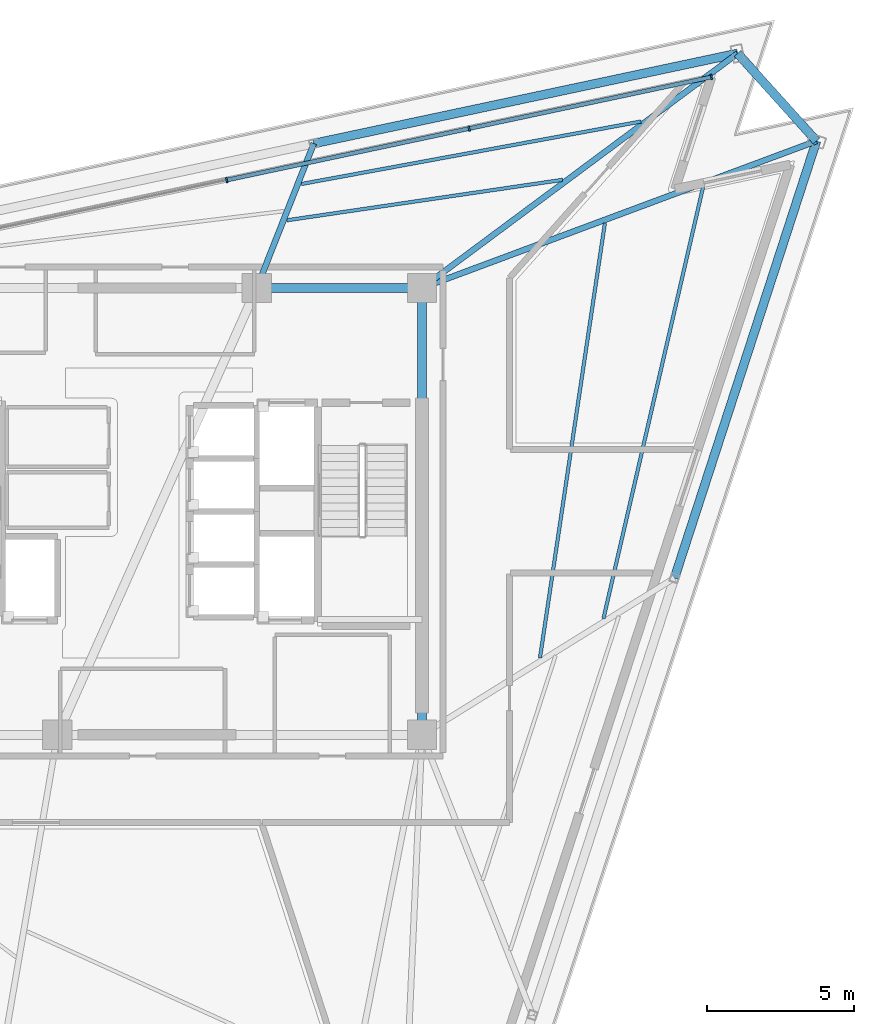
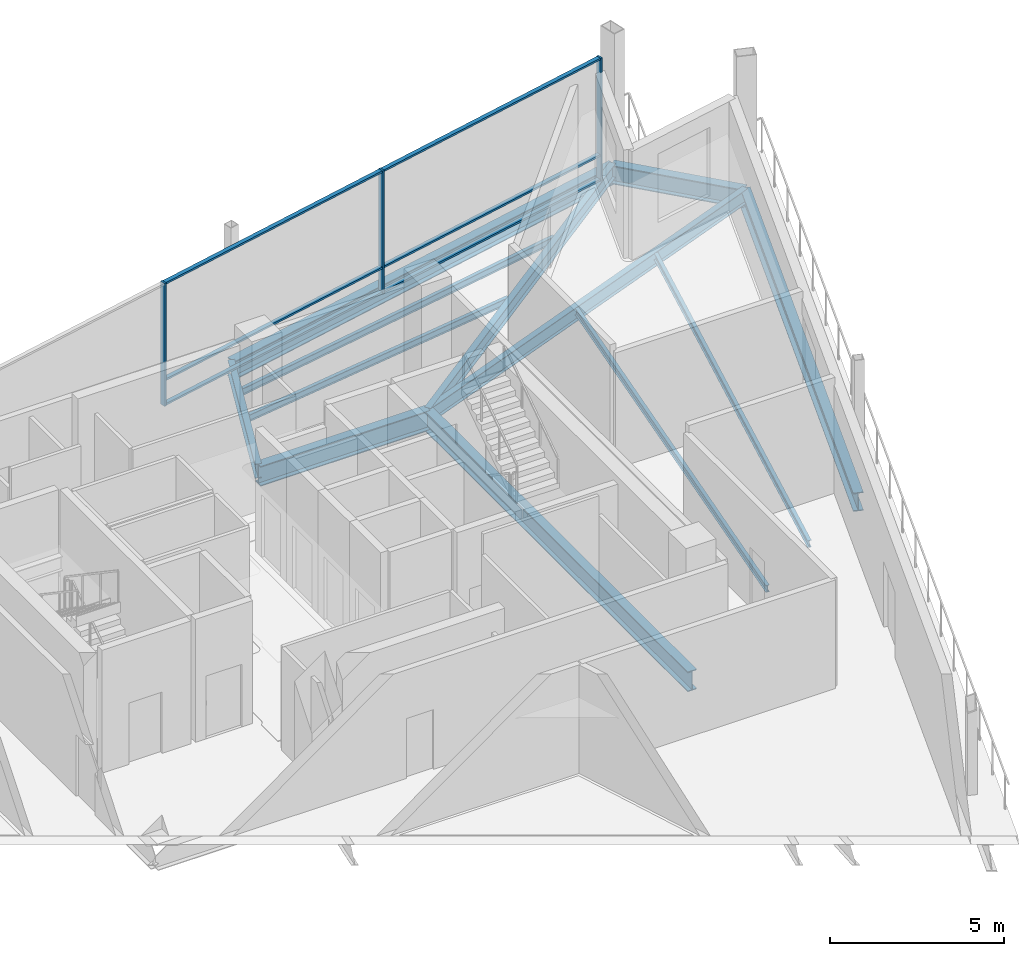
# One storey, part 5 of 11: 12 beams, 9 members, 1 element without a shape of its own.
"""IFC4 building model written with IfcOpenShell, lengths in metres."""

import ifcopenshell
import ifcopenshell.guid

model = None  # the IFC model being written
_history = None  # IfcOwnerHistory: only IFC2X3 demands one
_inside = {}  # id of a spatial element -> (the spatial element, [elements in it])
_under = {}  # id of a project, library or spatial element -> (it, [spatial elements below it])
_declared = {}  # id of a project -> (the project, [libraries it declares])
_typed = {}  # id of a type object -> (the type object, [elements of that type])
_made_of = {}  # id of a material, layer set ... -> (it, [elements and type objects made of it])


def new_model(schema):
    """Start an empty IFC model of exactly this schema.

    Asked for "IFC4X3", IfcOpenShell would pick the latest addendum, in which some entities
    have other attributes; the version numbers below select the first issue.
    IFC2X3 requires an IfcOwnerHistory on every rooted entity: one is made here for all.
    """
    global model, _history
    if schema == "IFC4X3":
        model = ifcopenshell.file(schema_version=(4, 3, 0, 0))
    else:
        model = ifcopenshell.file(schema=schema)
    _inside.clear()
    _under.clear()
    _declared.clear()
    _typed.clear()
    _made_of.clear()
    _history = None
    if model.schema == "IFC2X3":
        org = make("IfcOrganization", Name="unknown")
        user = make(
            "IfcPersonAndOrganization",
            ThePerson=make("IfcPerson", FamilyName="unknown"),
            TheOrganization=org,
        )
        app = make(
            "IfcApplication",
            ApplicationDeveloper=org,
            Version="unknown",
            ApplicationFullName="unknown",
            ApplicationIdentifier="unknown",
        )
        _history = make(
            "IfcOwnerHistory",
            OwningUser=user,
            OwningApplication=app,
            ChangeAction="ADDED",
            CreationDate=0,
        )
    return model


def make(cls, **values):
    """One entity of the class cls with the attributes given. An attribute that is None is left unset."""
    return model.create_entity(
        cls, **{name: value for name, value in values.items() if value is not None}
    )


def rooted(cls, **values):
    """An entity with a GlobalId (a new one), such as an element, a storey or a relation."""
    return make(cls, GlobalId=ifcopenshell.guid.new(), OwnerHistory=_history, **values)


def si_unit(unit_type, name, prefix=None):
    """IfcSIUnit, for example si_unit("LENGTHUNIT", "METRE", prefix="MILLI")."""
    return make("IfcSIUnit", UnitType=unit_type, Prefix=prefix, Name=name)


def assignment(units):
    """IfcUnitAssignment: the units of a project."""
    return None if units is None else make("IfcUnitAssignment", Units=units)


def point(xyz):
    """IfcCartesianPoint."""
    return None if xyz is None else make("IfcCartesianPoint", Coordinates=xyz)


def direction(xyz):
    """IfcDirection."""
    return None if xyz is None else make("IfcDirection", DirectionRatios=xyz)


def frame(location, z_axis=None, x_axis=None):
    """IfcAxis2Placement3D, a coordinate frame: its origin and axes. An axis left out is left unset."""
    return make(
        "IfcAxis2Placement3D",
        Location=point(location),
        Axis=direction(z_axis),
        RefDirection=direction(x_axis),
    )


def frame_2d(location, x_axis=None):
    """IfcAxis2Placement2D, a coordinate frame in the plane: its origin and x axis."""
    return make(
        "IfcAxis2Placement2D", Location=point(location), RefDirection=direction(x_axis)
    )


def origin():
    """The frame at (0, 0, 0) with its axes left unset."""
    return frame((0.0, 0.0, 0.0))


def origin_2d():
    """The frame at (0, 0) in the plane with its x axis left unset."""
    return frame_2d((0.0, 0.0))


def place(relative_to, where):
    """IfcLocalPlacement: puts the frame where relative to a parent placement (None: the world)."""
    return make(
        "IfcLocalPlacement", PlacementRelTo=relative_to, RelativePlacement=where
    )


def context(
    kind, dimensions, precision=None, world=None, true_north=None, identifier=None
):
    """IfcGeometricRepresentationContext, for example the 3D "Model" context."""
    return make(
        "IfcGeometricRepresentationContext",
        ContextIdentifier=identifier,
        ContextType=kind,
        CoordinateSpaceDimension=dimensions,
        Precision=precision,
        WorldCoordinateSystem=world,
        TrueNorth=true_north,
    )


def subcontext(parent, identifier, kind, view, scale=None):
    """IfcGeometricRepresentationSubContext, for example "Body" below "Model"."""
    return make(
        "IfcGeometricRepresentationSubContext",
        ContextIdentifier=identifier,
        ContextType=kind,
        ParentContext=parent,
        TargetScale=scale,
        TargetView=view,
    )


def project(units=None, contexts=None):
    """IfcProject with its units and contexts."""
    return rooted(
        "IfcProject",
        Name="project",
        RepresentationContexts=contexts,
        UnitsInContext=assignment(units),
    )


def spatial(cls, under=None, at=None, **own):
    """A site, building, storey or space (cls), placed at a placement, below another one or the project."""
    s = rooted(cls, ObjectPlacement=at, **own)
    if under is not None:
        _under.setdefault(under.id(), (under, []))[1].append(s)
    return s


def profile(cls, at=None, kind="AREA", **sizes):
    """A parametric profile (cls). Its sizes go by their IFC names, for example OverallWidth=200.0."""
    return make(cls, ProfileType=kind, Position=at, **sizes)


def rectangle(**sizes):
    """IfcRectangleProfileDef."""
    return profile("IfcRectangleProfileDef", **sizes)


def i_section(**sizes):
    """IfcIShapeProfileDef."""
    return profile("IfcIShapeProfileDef", **sizes)


def extrude(swept, where, along, depth):
    """IfcExtrudedAreaSolid: the profile swept, set in the frame where, extruded along a direction by depth."""
    return make(
        "IfcExtrudedAreaSolid",
        SweptArea=swept,
        Position=where,
        ExtrudedDirection=direction(along),
        Depth=depth,
    )


def shape(context_of_items, identifier, shape_type, items):
    """IfcShapeRepresentation: the items that make up one representation, for example the "Body"."""
    return make(
        "IfcShapeRepresentation",
        ContextOfItems=context_of_items,
        RepresentationIdentifier=identifier,
        RepresentationType=shape_type,
        Items=items,
    )


def material(Name=None, Category=None):
    """IfcMaterial."""
    return make("IfcMaterial", Name=Name, Category=Category)


def layer(
    of_material, thickness, ventilated=None, Name=None, Category=None, Priority=None
):
    """IfcMaterialLayer: one layer of a wall or slab, of a material (None: an air gap)."""
    return make(
        "IfcMaterialLayer",
        Material=of_material,
        LayerThickness=thickness,
        IsVentilated=ventilated,
        Name=Name,
        Category=Category,
        Priority=Priority,
    )


def layer_set(layers, Name=None):
    """IfcMaterialLayerSet."""
    return make("IfcMaterialLayerSet", MaterialLayers=layers, LayerSetName=Name)


def material_profile(
    of_material, cross_section, Name=None, Category=None, Priority=None
):
    """IfcMaterialProfile: a cross section and its material."""
    return make(
        "IfcMaterialProfile",
        Name=Name,
        Material=of_material,
        Profile=cross_section,
        Priority=Priority,
        Category=Category,
    )


def profile_set(profiles, Name=None, composite=None):
    """IfcMaterialProfileSet."""
    return make(
        "IfcMaterialProfileSet",
        Name=Name,
        MaterialProfiles=profiles,
        CompositeProfile=composite,
    )


def made_of(thing, what):
    """Note that an element or type object is made of a material, layer set ...; save() writes the relation."""
    if what is not None:
        _made_of.setdefault(what.id(), (what, []))[1].append(thing)
    return thing


def type_object(cls, material=None, **own):
    """A type object (cls), such as IfcWallType, which elements share."""
    return made_of(rooted(cls, **own), material)


def element(
    cls,
    number,
    at=None,
    inside=None,
    cuts=None,
    type_object=None,
    material=None,
    context=None,
    identifier="Body",
    shape_type=None,
    held_by="IfcProductDefinitionShape",
    body=None,
    shapes=None,
    **own,
):
    """One element of the class cls, such as IfcWall. Its Tag is "e" and its number.

    at: its placement. inside: the storey or other place that contains it. cuts: it is an
    opening in that element (IfcRelVoidsElement). A single representation is given by context,
    identifier, shape_type and body (its items); several are given by shapes. held_by: the class
    of the entity that holds the representations. save() writes the other relations.
    """
    e = rooted(cls, Tag="e%d" % number, ObjectPlacement=at, **own)
    if body is not None:
        shapes = [shape(context, identifier, shape_type, body)]
    if shapes is not None:
        e.Representation = make(held_by, Representations=shapes)
    if inside is not None:
        _inside.setdefault(inside.id(), (inside, []))[1].append(e)
    if cuts is not None:
        rooted(
            "IfcRelVoidsElement", RelatingBuildingElement=cuts, RelatedOpeningElement=e
        )
    if type_object is not None:
        _typed.setdefault(type_object.id(), (type_object, []))[1].append(e)
    return made_of(e, material)


def aggregate(whole, parts):
    """IfcRelAggregates: a whole, such as a stair, and the parts it consists of."""
    return rooted("IfcRelAggregates", RelatingObject=whole, RelatedObjects=parts)


def save(model, path):
    """Write the relations noted so far, then the file.

    IfcRelAggregates (storeys below a building ...), IfcRelContainedInSpatialStructure (elements
    in a storey), IfcRelDefinesByType, IfcRelAssociatesMaterial and IfcRelDeclares: one each for
    every whole, place, type object, material and project.
    """
    for whole, parts in _under.values():
        aggregate(whole, parts)
    for where, things in _inside.values():
        rooted(
            "IfcRelContainedInSpatialStructure",
            RelatedElements=things,
            RelatingStructure=where,
        )
    for kind, things in _typed.values():
        rooted("IfcRelDefinesByType", RelatedObjects=things, RelatingType=kind)
    for what, things in _made_of.values():
        rooted("IfcRelAssociatesMaterial", RelatedObjects=things, RelatingMaterial=what)
    for by, libraries in _declared.values():
        rooted("IfcRelDeclares", RelatingContext=by, RelatedDefinitions=libraries)
    model.write(path)


model = new_model("IFC4")

# Units and contexts
model_context = context("Model", 3, precision=1e-05, world=origin(), true_north=direction((0.0, 1.0)))
body_context = subcontext(model_context, "Body", "Model", "MODEL_VIEW")
ifc_project = project(units=[si_unit("LENGTHUNIT", "METRE"), si_unit("AREAUNIT", "SQUARE_METRE"), si_unit("VOLUMEUNIT", "CUBIC_METRE"), si_unit("PLANEANGLEUNIT", "RADIAN"), si_unit("MASSUNIT", "GRAM", prefix="KILO")], contexts=[model_context])

# Site, building, storey
site_placement = place(None, origin())
site = spatial("IfcSite", under=ifc_project, at=site_placement, CompositionType="ELEMENT")
building_placement = place(site_placement, origin())
building = spatial("IfcBuilding", under=site, at=building_placement, Name="Tharavind Bronze Gate", CompositionType="ELEMENT")
storey_placement = place(building_placement, frame((0.0, 0.0, 306.300048828125)))
storey = spatial("IfcBuildingStorey", under=building, at=storey_placement, Name="L79", CompositionType="ELEMENT", Elevation=306.300048828125)

# Curtain wall, members
ifc_material_1 = material(Name="Anodised Bronze Aluminium", Category="aluminium")
ifc_layer = layer(ifc_material_1, 0.219970703125)
ifc_layer_set = layer_set([ifc_layer], Name="Anodised Bronze Aluminium")
curtain_wall_type = type_object("IfcCurtainWallType", Name="UNITISED CURTAIN WALL CROWN", PredefinedType="USERDEFINED", material=ifc_layer_set)
curtain_wall_placement = place(storey_placement, origin())
curtain_wall = element("IfcCurtainWall", 1, at=curtain_wall_placement, inside=storey, type_object=curtain_wall_type, Name="L79 unitised curtain wall crown CW-L79-S3", ObjectType="UNITISED CURTAIN WALL", PredefinedType="USERDEFINED")
member_type_1 = type_object("IfcMemberType", Name="CURTAIN WALL BRONZE MULLION 65X180", PredefinedType="MULLION", material=ifc_material_1)
member_1_placement = place(storey_placement, frame((18.74560546875, 14.775146484375, 0.0), z_axis=(0.0, 0.0, 1.0), x_axis=(-0.978147600734, -0.207911690818, 0.0)))
member_1 = element("IfcMember", 2, at=member_1_placement, type_object=member_type_1, Name="CW-L79-S3 mullion 1", PredefinedType="MULLION", context=body_context, shape_type="SweptSolid", body=[
    extrude(rectangle(XDim=0.06494140625, YDim=0.179931640625, at=origin_2d()), origin(), (0.0, 0.0, 1.0), 4.31005859375),
])
member_2_placement = place(storey_placement, frame((10.501708984375, 13.02294921875, 0.0), z_axis=(0.0, 0.0, 1.0), x_axis=(-0.978147600734, -0.207911690818, 0.0)))
member_2 = element("IfcMember", 3, at=member_2_placement, type_object=member_type_1, Name="CW-L79-S3 mullion 2", PredefinedType="MULLION", context=body_context, shape_type="SweptSolid", body=[
    extrude(rectangle(XDim=0.06494140625, YDim=0.179931640625, at=origin_2d()), origin(), (0.0, 0.0, 1.0), 4.31005859375),
])
member_3_placement = place(storey_placement, frame((2.258056640625, 11.270751953125, 0.0), z_axis=(0.0, 0.0, 1.0), x_axis=(-0.978147600734, -0.207911690818, 0.0)))
member_3 = element("IfcMember", 4, at=member_3_placement, type_object=member_type_1, Name="CW-L79-S3 mullion 3", PredefinedType="MULLION", context=body_context, shape_type="SweptSolid", body=[
    extrude(rectangle(XDim=0.06494140625, YDim=0.179931640625, at=origin_2d()), origin(), (0.0, 0.0, 1.0), 4.31005859375),
])
member_type_2 = type_object("IfcMemberType", Name="CURTAIN WALL BRONZE TRANSOM 65X140", PredefinedType="USERDEFINED", material=ifc_material_1)
member_4_placement = place(storey_placement, frame((14.62353515625, 13.899169921875, 0.0), z_axis=(0.0, 0.0, 1.0), x_axis=(-0.978147600734, -0.207911690818, 0.0)))
member_4 = element("IfcMember", 5, at=member_4_placement, type_object=member_type_2, Name="CW-L79-S3 transom TB1", ObjectType="TRANSOM", PredefinedType="USERDEFINED", context=body_context, shape_type="SweptSolid", body=[
    extrude(rectangle(XDim=8.375, YDim=0.139892578125, at=origin_2d()), origin(), (0.0, 0.0, 1.0), 0.06494140625),
])
member_5_placement = place(storey_placement, frame((14.62353515625, 13.899169921875, 0.867431640625), z_axis=(0.0, 0.0, 1.0), x_axis=(-0.978147600734, -0.207911690818, 0.0)))
member_5 = element("IfcMember", 6, at=member_5_placement, type_object=member_type_2, Name="CW-L79-S3 transom TS1", ObjectType="TRANSOM", PredefinedType="USERDEFINED", context=body_context, shape_type="SweptSolid", body=[
    extrude(rectangle(XDim=8.375, YDim=0.139892578125, at=origin_2d()), origin(), (0.0, 0.0, 1.0), 0.06494140625),
])
member_6_placement = place(storey_placement, frame((14.62353515625, 13.899169921875, 4.244873046875), z_axis=(0.0, 0.0, 1.0), x_axis=(-0.978147600734, -0.207911690818, 0.0)))
member_6 = element("IfcMember", 7, at=member_6_placement, type_object=member_type_2, Name="CW-L79-S3 transom TT1", ObjectType="TRANSOM", PredefinedType="USERDEFINED", context=body_context, shape_type="SweptSolid", body=[
    extrude(rectangle(XDim=8.375, YDim=0.139892578125, at=origin_2d()), origin(), (0.0, 0.0, 1.0), 0.06494140625),
])
member_7_placement = place(storey_placement, frame((6.3798828125, 12.146728515625, 0.0), z_axis=(0.0, 0.0, 1.0), x_axis=(-0.978147600734, -0.207911690818, 0.0)))
member_7 = element("IfcMember", 8, at=member_7_placement, type_object=member_type_2, Name="CW-L79-S3 transom TB2", ObjectType="TRANSOM", PredefinedType="USERDEFINED", context=body_context, shape_type="SweptSolid", body=[
    extrude(rectangle(XDim=8.375, YDim=0.139892578125, at=origin_2d()), origin(), (0.0, 0.0, 1.0), 0.06494140625),
])
member_8_placement = place(storey_placement, frame((6.3798828125, 12.146728515625, 0.867431640625), z_axis=(0.0, 0.0, 1.0), x_axis=(-0.978147600734, -0.207911690818, 0.0)))
member_8 = element("IfcMember", 9, at=member_8_placement, type_object=member_type_2, Name="CW-L79-S3 transom TS2", ObjectType="TRANSOM", PredefinedType="USERDEFINED", context=body_context, shape_type="SweptSolid", body=[
    extrude(rectangle(XDim=8.375, YDim=0.139892578125, at=origin_2d()), origin(), (0.0, 0.0, 1.0), 0.06494140625),
])
member_9_placement = place(storey_placement, frame((6.3798828125, 12.146728515625, 4.244873046875), z_axis=(0.0, 0.0, 1.0), x_axis=(-0.978147600734, -0.207911690818, 0.0)))
member_9 = element("IfcMember", 10, at=member_9_placement, type_object=member_type_2, Name="CW-L79-S3 transom TT2", ObjectType="TRANSOM", PredefinedType="USERDEFINED", context=body_context, shape_type="SweptSolid", body=[
    extrude(rectangle(XDim=8.375, YDim=0.139892578125, at=origin_2d()), origin(), (0.0, 0.0, 1.0), 0.06494140625),
])
aggregate(curtain_wall, [member_1, member_2, member_3, member_4, member_5, member_6, member_7, member_8, member_9])

# Beams
ifc_material_2 = material(Name="Steel S355", Category="steel")
ifc_material_profile_1 = material_profile(ifc_material_2, i_section(OverallWidth=0.300048828125, OverallDepth=0.64990234375, WebThickness=0.01611328125, FlangeThickness=0.031005859375, at=origin_2d()), Name="HE650B")
ifc_profile_set_1 = profile_set([ifc_material_profile_1], Name="Steel S355")
beam_type_1 = type_object("IfcBeamType", Name="PRIMARY GIRDER HE650B", PredefinedType="USERDEFINED", material=ifc_profile_set_1)
beam_1_placement = place(storey_placement, frame((17.4892578125, -2.265380859375, -0.525146484375), z_axis=(0.309011547215, 0.951058286168, 0.0), x_axis=(-0.951058286168, 0.309011547215, 0.0)))
element("IfcBeam", 11, at=beam_1_placement, inside=storey, type_object=beam_type_1, Name="L79 primary girder he650b BM-L79-PRG07", ObjectType="GIRDER", PredefinedType="USERDEFINED", context=body_context, shape_type="SweptSolid", body=[
    extrude(i_section(OverallWidth=0.300048828125, OverallDepth=0.64990234375, WebThickness=0.01611328125, FlangeThickness=0.031005859375, at=origin_2d()), origin(), (0.0, 0.0, 1.0), 15.6298828125),
])
beam_2_placement = place(storey_placement, frame((22.319091796875, 12.599609375, -0.525146484375), z_axis=(-0.669132983361, 0.743142685208, 0.0), x_axis=(-0.743142685208, -0.669132983361, 0.0)))
element("IfcBeam", 12, at=beam_2_placement, inside=storey, type_object=beam_type_1, Name="L79 primary girder he650b BM-L79-PRG08", ObjectType="GIRDER", PredefinedType="USERDEFINED", context=body_context, shape_type="SweptSolid", body=[
    extrude(i_section(OverallWidth=0.300048828125, OverallDepth=0.64990234375, WebThickness=0.01611328125, FlangeThickness=0.031005859375, at=origin_2d()), origin(), (0.0, 0.0, 1.0), 4.008056640625),
])
beam_3_placement = place(storey_placement, frame((19.63720703125, 15.578125, -0.525146484375), z_axis=(-0.97814794647, -0.207910064249, 0.0), x_axis=(0.207910064249, -0.97814794647, 0.0)))
element("IfcBeam", 13, at=beam_3_placement, inside=storey, type_object=beam_type_1, Name="L79 primary girder he650b BM-L79-PRG09", ObjectType="GIRDER", PredefinedType="USERDEFINED", context=body_context, shape_type="SweptSolid", body=[
    extrude(i_section(OverallWidth=0.300048828125, OverallDepth=0.64990234375, WebThickness=0.01611328125, FlangeThickness=0.031005859375, at=origin_2d()), origin(), (0.0, 0.0, 1.0), 14.7392578125),
])
ifc_material_profile_2 = material_profile(ifc_material_2, i_section(OverallWidth=0.199951171875, OverallDepth=0.5, WebThickness=0.01025390625, FlangeThickness=0.01611328125, at=origin_2d()), Name="IPE500")
ifc_profile_set_2 = profile_set([ifc_material_profile_2], Name="Steel S355")
beam_type_2 = type_object("IfcBeamType", Name="PRIMARY GIRDER IPE500", PredefinedType="USERDEFINED", material=ifc_profile_set_2)
beam_4_placement = place(storey_placement, frame((22.319091796875, 12.599609375, -0.449951171875), z_axis=(-0.937077412275, -0.349121645567, 0.0), x_axis=(0.349121645567, -0.937077412275, 0.0)))
element("IfcBeam", 14, at=beam_4_placement, inside=storey, type_object=beam_type_2, Name="L79 primary girder ipe500 BM-L79-RAD08", ObjectType="GIRDER", PredefinedType="USERDEFINED", context=body_context, shape_type="SweptSolid", body=[
    extrude(i_section(OverallWidth=0.199951171875, OverallDepth=0.5, WebThickness=0.01025390625, FlangeThickness=0.01611328125, at=origin_2d()), origin(), (0.0, 0.0, 1.0), 14.3203125),
])
beam_5_placement = place(storey_placement, frame((19.63720703125, 15.578125, -0.449951171875), z_axis=(-0.802681438581, -0.596408004774, 0.0), x_axis=(0.596408004774, -0.802681438581, 0.0)))
element("IfcBeam", 15, at=beam_5_placement, inside=storey, type_object=beam_type_2, Name="L79 primary girder ipe500 BM-L79-RAD09", ObjectType="GIRDER", PredefinedType="USERDEFINED", context=body_context, shape_type="SweptSolid", body=[
    extrude(i_section(OverallWidth=0.199951171875, OverallDepth=0.5, WebThickness=0.01025390625, FlangeThickness=0.01611328125, at=origin_2d()), origin(), (0.0, 0.0, 1.0), 13.376708984375),
])
beam_6_placement = place(storey_placement, frame((5.219970703125, 12.513671875, -0.449951171875), z_axis=(-0.367227563748, -0.930131128618, 0.0), x_axis=(0.930131128618, -0.367227563748, 0.0)))
element("IfcBeam", 16, at=beam_6_placement, inside=storey, type_object=beam_type_2, Name="L79 primary girder ipe500 BM-L79-RAD10", ObjectType="GIRDER", PredefinedType="USERDEFINED", context=body_context, shape_type="SweptSolid", body=[
    extrude(i_section(OverallWidth=0.199951171875, OverallDepth=0.5, WebThickness=0.01025390625, FlangeThickness=0.01611328125, at=origin_2d()), origin(), (0.0, 0.0, 1.0), 5.28271484375),
])
ifc_material_profile_3 = material_profile(ifc_material_2, i_section(OverallWidth=0.300048828125, OverallDepth=0.699951171875, WebThickness=0.01708984375, FlangeThickness=0.031982421875, at=origin_2d()), Name="HE700B")
ifc_profile_set_3 = profile_set([ifc_material_profile_3], Name="Steel S355")
beam_type_3 = type_object("IfcBeamType", Name="RING GIRDER HE700B", PredefinedType="USERDEFINED", material=ifc_profile_set_3)
beam_7_placement = place(storey_placement, frame((8.89990234375, -7.60009765625, -0.550048828125), z_axis=(0.0, 1.0, 0.0), x_axis=(-1.0, 0.0, 0.0)))
element("IfcBeam", 17, at=beam_7_placement, inside=storey, type_object=beam_type_3, Name="L79 ring girder he700b BM-L79-CR3", ObjectType="GIRDER", PredefinedType="USERDEFINED", context=body_context, shape_type="SweptSolid", body=[
    extrude(i_section(OverallWidth=0.300048828125, OverallDepth=0.699951171875, WebThickness=0.01708984375, FlangeThickness=0.031982421875, at=origin_2d()), origin(), (0.0, 0.0, 1.0), 15.2001953125),
])
beam_8_placement = place(storey_placement, frame((8.89990234375, 7.60009765625, -0.550048828125), z_axis=(-1.0, 0.0, 0.0), x_axis=(0.0, -1.0, 0.0)))
element("IfcBeam", 18, at=beam_8_placement, inside=storey, type_object=beam_type_3, Name="L79 ring girder he700b BM-L79-CR4", ObjectType="GIRDER", PredefinedType="USERDEFINED", context=body_context, shape_type="SweptSolid", body=[
    extrude(i_section(OverallWidth=0.300048828125, OverallDepth=0.699951171875, WebThickness=0.01708984375, FlangeThickness=0.031982421875, at=origin_2d()), origin(), (0.0, 0.0, 1.0), 5.619873046875),
])
ifc_material_profile_4 = material_profile(ifc_material_2, i_section(OverallWidth=0.1201171875, OverallDepth=0.239990234375, WebThickness=0.006103515625, FlangeThickness=0.009765625, at=origin_2d()), Name="IPE240")
ifc_profile_set_4 = profile_set([ifc_material_profile_4], Name="Steel S355")
beam_type_4 = type_object("IfcBeamType", Name="SECONDARY FLOOR JOIST IPE240", PredefinedType="JOIST", material=ifc_profile_set_4)
beam_9_placement = place(storey_placement, frame((12.913818359375, -4.985595703125, -0.320068359375), z_axis=(0.147668368553, 0.989036932035, 0.0), x_axis=(-0.989036932035, 0.147668368553, 0.0)))
element("IfcBeam", 19, at=beam_9_placement, inside=storey, type_object=beam_type_4, Name="L79 secondary floor joist ipe240 BM-L79-JSTA07", PredefinedType="JOIST", context=body_context, shape_type="SweptSolid", body=[
    extrude(i_section(OverallWidth=0.1201171875, OverallDepth=0.239990234375, WebThickness=0.006103515625, FlangeThickness=0.009765625, at=origin_2d()), origin(), (0.0, 0.0, 1.0), 14.95751953125),
])
beam_10_placement = place(storey_placement, frame((15.073974609375, -3.644287109375, -0.320068359375), z_axis=(0.224913878483, 0.974378646762, 0.0), x_axis=(-0.974378646762, 0.224913878483, 0.0)))
element("IfcBeam", 20, at=beam_10_placement, inside=storey, type_object=beam_type_4, Name="L79 secondary floor joist ipe240 BM-L79-JSTB07", PredefinedType="JOIST", context=body_context, shape_type="SweptSolid", body=[
    extrude(i_section(OverallWidth=0.1201171875, OverallDepth=0.239990234375, WebThickness=0.006103515625, FlangeThickness=0.009765625, at=origin_2d()), origin(), (0.0, 0.0, 1.0), 15.0849609375),
])
beam_11_placement = place(storey_placement, frame((13.679931640625, 11.278564453125, -0.320068359375), z_axis=(-0.989403029467, -0.145195197172, 0.0), x_axis=(0.145195197172, -0.989403029467, 0.0)))
element("IfcBeam", 21, at=beam_11_placement, inside=storey, type_object=beam_type_4, Name="L79 secondary floor joist ipe240 BM-L79-JSTA09", PredefinedType="JOIST", context=body_context, shape_type="SweptSolid", body=[
    extrude(i_section(OverallWidth=0.1201171875, OverallDepth=0.239990234375, WebThickness=0.006103515625, FlangeThickness=0.009765625, at=origin_2d()), origin(), (0.0, 0.0, 1.0), 9.47998046875),
])
beam_12_placement = place(storey_placement, frame((16.350341796875, 13.2626953125, -0.320068359375), z_axis=(-0.983492984131, -0.180946263195, 0.0), x_axis=(0.180946263195, -0.983492984131, 0.0)))
element("IfcBeam", 22, at=beam_12_placement, inside=storey, type_object=beam_type_4, Name="L79 secondary floor joist ipe240 BM-L79-JSTB09", PredefinedType="JOIST", context=body_context, shape_type="SweptSolid", body=[
    extrude(i_section(OverallWidth=0.1201171875, OverallDepth=0.239990234375, WebThickness=0.006103515625, FlangeThickness=0.009765625, at=origin_2d()), origin(), (0.0, 0.0, 1.0), 11.75732421875),
])

save(model, "model.ifc")
